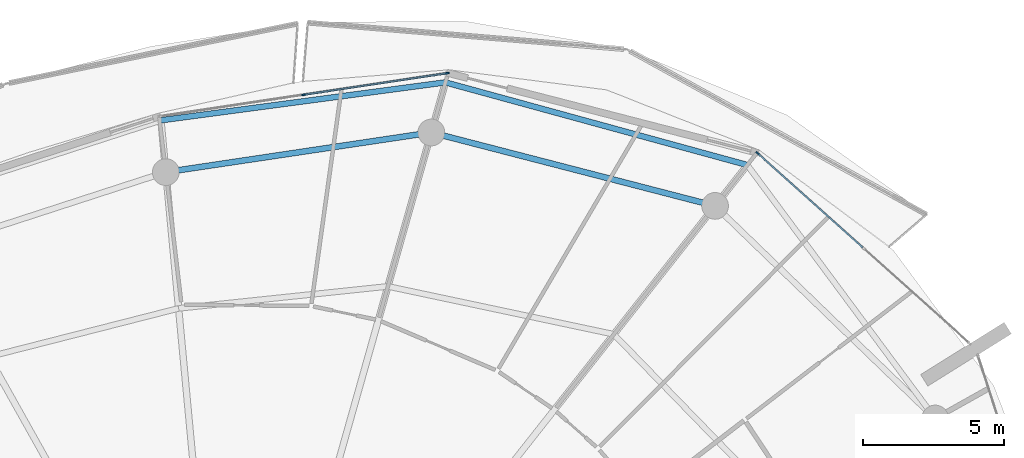
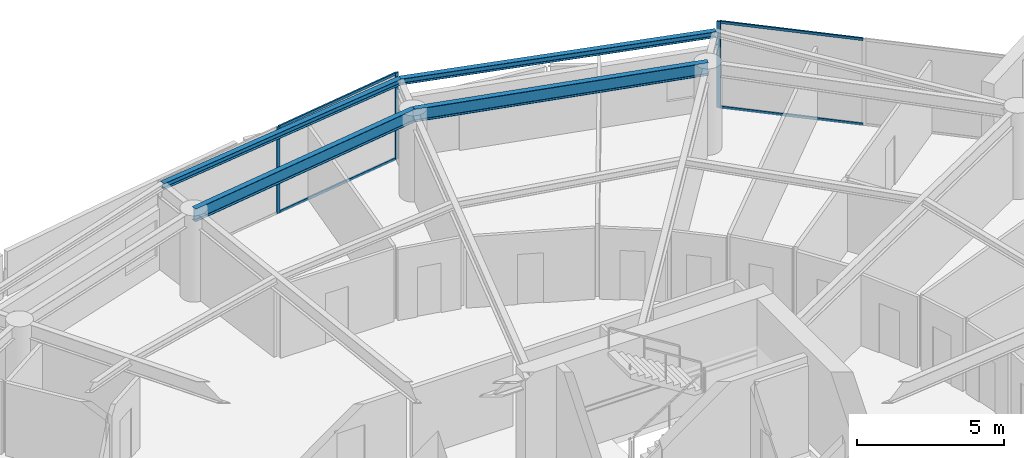
# One storey, part 16 of 30: 7 members, 4 beams, 2 elements without a shape of their own.
"""IFC4 building model written with IfcOpenShell, lengths in metres."""

from ifc_helpers import new_model, si_unit, direction, frame, origin, origin_2d, place, context, subcontext, project, spatial, rectangle, i_section, extrude, material, layer, layer_set, material_profile, profile_set, type_object, element, aggregate, save


model = new_model("IFC4")

# Units and contexts
model_context = context("Model", 3, precision=1e-05, world=origin(), true_north=direction((0.0, 1.0)))
body_context = subcontext(model_context, "Body", "Model", "MODEL_VIEW")
ifc_project = project(units=[si_unit("LENGTHUNIT", "METRE"), si_unit("AREAUNIT", "SQUARE_METRE"), si_unit("VOLUMEUNIT", "CUBIC_METRE"), si_unit("PLANEANGLEUNIT", "RADIAN"), si_unit("MASSUNIT", "GRAM", prefix="KILO")], contexts=[model_context])

# Site, building, storey
site_placement = place(None, origin())
site = spatial("IfcSite", under=ifc_project, at=site_placement, CompositionType="ELEMENT")
building_placement = place(site_placement, origin())
building = spatial("IfcBuilding", under=site, at=building_placement, Name="Kazma Halo Residences", CompositionType="ELEMENT")
storey_placement = place(building_placement, frame((0.0, 0.0, 244.39990234375)))
storey = spatial("IfcBuildingStorey", under=building, at=storey_placement, Name="L61", CompositionType="ELEMENT", Elevation=244.39990234375)

# Beams
ifc_material_1 = material(Name="Steel S355", Category="steel")
ifc_material_profile_1 = material_profile(ifc_material_1, i_section(OverallWidth=0.201904296875, OverallDepth=0.2470703125, WebThickness=0.00732421875, FlangeThickness=0.010986328125, FilletRadius=0.011962890625, at=origin_2d()), Name="W250x49.1")
ifc_profile_set_1 = profile_set([ifc_material_profile_1], Name="Steel S355")
beam_type_1 = type_object("IfcBeamType", Name="BM-BAL-CANT", PredefinedType="BEAM", material=ifc_profile_set_1)
beam_1_placement = place(storey_placement, frame((65.992431640625, 64.823486328125, 3.466552734375), z_axis=(-0.964514665976, 0.264029277006, 0.0), x_axis=(-0.264029277006, -0.964514665976, 0.0)))
element("IfcBeam", 1, at=beam_1_placement, inside=storey, type_object=beam_type_1, Name="L61 wave-balcony tie beam 02", PredefinedType="BEAM", context=body_context, shape_type="SweptSolid", body=[
    extrude(i_section(OverallWidth=0.201904296875, OverallDepth=0.2470703125, WebThickness=0.00732421875, FlangeThickness=0.010986328125, FilletRadius=0.011962890625, at=origin_2d()), origin(), (0.0, 0.0, 1.0), 11.1220703125),
])
beam_2_placement = place(storey_placement, frame((55.26513671875, 67.760009765625, 3.466552734375), z_axis=(-0.991234798397, -0.132111976922, 0.0), x_axis=(0.132111976922, -0.991234798397, 0.0)))
element("IfcBeam", 2, at=beam_2_placement, inside=storey, type_object=beam_type_1, Name="L61 wave-balcony tie beam 03", PredefinedType="BEAM", context=body_context, shape_type="SweptSolid", body=[
    extrude(i_section(OverallWidth=0.201904296875, OverallDepth=0.2470703125, WebThickness=0.00732421875, FlangeThickness=0.010986328125, FilletRadius=0.011962890625, at=origin_2d()), origin(), (0.0, 0.0, 1.0), 10.198974609375),
])
ifc_material_profile_2 = material_profile(ifc_material_1, i_section(OverallWidth=0.208984375, OverallDepth=0.532958984375, WebThickness=0.01025390625, FlangeThickness=0.015625, FilletRadius=0.01611328125, at=origin_2d()), Name="W530x92")
ifc_profile_set_2 = profile_set([ifc_material_profile_2], Name="Steel S355")
beam_type_2 = type_object("IfcBeamType", Name="BM-SPN-W530", PredefinedType="BEAM", material=ifc_profile_set_2)
beam_3_placement = place(storey_placement, frame((64.84716796875, 63.37060546875, 3.323486328125), z_axis=(-0.968126042852, 0.250463500639, 0.0), x_axis=(-0.250463500639, -0.968126042852, 0.0)))
element("IfcBeam", 3, at=beam_3_placement, inside=storey, type_object=beam_type_2, Name="L61 perimeter ring beam 02", PredefinedType="BEAM", context=body_context, shape_type="SweptSolid", body=[
    extrude(i_section(OverallWidth=0.208984375, OverallDepth=0.532958984375, WebThickness=0.01025390625, FlangeThickness=0.015625, FilletRadius=0.01611328125, at=origin_2d()), origin(), (0.0, 0.0, 1.0), 10.416259765625),
])
beam_4_placement = place(storey_placement, frame((54.762939453125, 65.9794921875, 3.323486328125), z_axis=(-0.989035441627, -0.147678350495, 0.0), x_axis=(0.147678350495, -0.989035441627, 0.0)))
element("IfcBeam", 4, at=beam_4_placement, inside=storey, type_object=beam_type_2, Name="L61 perimeter ring beam 03", PredefinedType="BEAM", context=body_context, shape_type="SweptSolid", body=[
    extrude(i_section(OverallWidth=0.208984375, OverallDepth=0.532958984375, WebThickness=0.01025390625, FlangeThickness=0.015625, FilletRadius=0.01611328125, at=origin_2d()), origin(), (0.0, 0.0, 1.0), 9.538818359375),
])

# Curtain wall, member
ifc_material_2 = material(Name="Aluminium AW-6063 T6 and Triple-Silver Low-E Glass", Category="aluminium")
ifc_layer = layer(ifc_material_2, 0.139892578125)
ifc_layer_set = layer_set([ifc_layer], Name="Aluminium AW-6063 T6 and Triple-Silver Low-E Glass")
curtain_wall_type = type_object("IfcCurtainWallType", Name="CW-SYS-5", PredefinedType="NOTDEFINED", material=ifc_layer_set)
curtain_wall_1_placement = place(storey_placement, origin())
curtain_wall_1 = element("IfcCurtainWall", 5, at=curtain_wall_1_placement, inside=storey, type_object=curtain_wall_type, Name="L61 unitised curtain wall B01", PredefinedType="NOTDEFINED")
ifc_material_3 = material(Name="Aluminium AW-6063 T6", Category="aluminium")
ifc_material_profile_3 = material_profile(ifc_material_3, rectangle(XDim=0.06005859375, YDim=0.139892578125, at=origin_2d()), Name="CWM-60x140")
ifc_profile_set_3 = profile_set([ifc_material_profile_3], Name="Aluminium AW-6063 T6")
member_type_1 = type_object("IfcMemberType", Name="CW-SYS-5-MUL", PredefinedType="MULLION", material=ifc_profile_set_3)
member_1_placement = place(storey_placement, frame((66.3603515625, 65.241455078125, 0.0), z_axis=(0.0, 0.0, 1.0), x_axis=(-0.667804826958, -0.744336424671, 0.0)))
member_1 = element("IfcMember", 6, at=member_1_placement, type_object=member_type_1, Name="CWS-5 mullion 3", PredefinedType="MULLION", context=body_context, shape_type="SweptSolid", body=[
    extrude(rectangle(XDim=0.06005859375, YDim=0.139892578125, at=origin_2d()), origin(), (0.0, 0.0, 1.0), 3.590087890625),
])

# Curtain wall, members
curtain_wall_2_placement = place(storey_placement, origin())
curtain_wall_2 = element("IfcCurtainWall", 7, at=curtain_wall_2_placement, inside=storey, type_object=curtain_wall_type, Name="L61 unitised curtain wall B03", PredefinedType="NOTDEFINED")
member_2_placement = place(storey_placement, frame((55.328857421875, 68.087158203125, 0.0), z_axis=(0.0, 0.0, 1.0), x_axis=(0.148697080374, -0.988882792998, 0.0)))
member_2 = element("IfcMember", 8, at=member_2_placement, type_object=member_type_1, Name="CWS-5 mullion 1", PredefinedType="MULLION", context=body_context, shape_type="SweptSolid", body=[
    extrude(rectangle(XDim=0.06005859375, YDim=0.139892578125, at=origin_2d()), origin(), (0.0, 0.0, 1.0), 3.590087890625),
])
member_3_placement = place(storey_placement, frame((50.2265625, 67.320068359375, 0.0), z_axis=(0.0, 0.0, 1.0), x_axis=(0.148697080374, -0.988882792998, 0.0)))
member_3 = element("IfcMember", 9, at=member_3_placement, type_object=member_type_1, Name="CWS-5 mullion 2", PredefinedType="MULLION", context=body_context, shape_type="SweptSolid", body=[
    extrude(rectangle(XDim=0.06005859375, YDim=0.139892578125, at=origin_2d()), origin(), (0.0, 0.0, 1.0), 3.590087890625),
])

# Member
ifc_material_profile_4 = material_profile(ifc_material_3, rectangle(XDim=0.06005859375, YDim=0.10498046875, at=origin_2d()), Name="CWT-60x105")
ifc_profile_set_4 = profile_set([ifc_material_profile_4], Name="Aluminium AW-6063 T6")
member_type_2 = type_object("IfcMemberType", Name="CW-SYS-5-TRN", PredefinedType="USERDEFINED", material=ifc_profile_set_4)
member_4_placement = place(storey_placement, frame((70.099609375, 61.88671875, 0.030029296875), z_axis=(-0.744350700793, 0.667788914425, 0.0), x_axis=(-0.667788914425, -0.744350700793, 0.0)))
member_4 = element("IfcMember", 10, at=member_4_placement, type_object=member_type_2, Name="CWS-5 transom 2.1", ObjectType="TRANSOM", PredefinedType="USERDEFINED", context=body_context, shape_type="SweptSolid", body=[
    extrude(rectangle(XDim=0.06005859375, YDim=0.10498046875, at=origin_2d()), origin(), (0.0, 0.0, 1.0), 4.99365234375),
])

member_5_placement = place(storey_placement, frame((70.099609375, 61.88671875, 3.56005859375), z_axis=(-0.744350700793, 0.667788914425, 0.0), x_axis=(-0.667788914425, -0.744350700793, 0.0)))
member_5 = element("IfcMember", 11, at=member_5_placement, type_object=member_type_2, Name="CWS-5 transom 2.2", ObjectType="TRANSOM", PredefinedType="USERDEFINED", context=body_context, shape_type="SweptSolid", body=[
    extrude(rectangle(XDim=0.06005859375, YDim=0.10498046875, at=origin_2d()), origin(), (0.0, 0.0, 1.0), 4.99365234375),
])

aggregate(curtain_wall_1, [member_1, member_4, member_5])

member_6_placement = place(storey_placement, frame((55.29931640625, 68.082763671875, 0.030029296875), z_axis=(-0.988883972013, -0.148689239341, 0.0), x_axis=(0.148689239341, -0.988883972013, 0.0)))
member_6 = element("IfcMember", 12, at=member_6_placement, type_object=member_type_2, Name="CWS-5 transom 1.1", ObjectType="TRANSOM", PredefinedType="USERDEFINED", context=body_context, shape_type="SweptSolid", body=[
    extrude(rectangle(XDim=0.06005859375, YDim=0.10498046875, at=origin_2d()), origin(), (0.0, 0.0, 1.0), 5.099853515625),
])

member_7_placement = place(storey_placement, frame((55.29931640625, 68.082763671875, 3.56005859375), z_axis=(-0.988883972013, -0.148689239341, 0.0), x_axis=(0.148689239341, -0.988883972013, 0.0)))
member_7 = element("IfcMember", 13, at=member_7_placement, type_object=member_type_2, Name="CWS-5 transom 1.2", ObjectType="TRANSOM", PredefinedType="USERDEFINED", context=body_context, shape_type="SweptSolid", body=[
    extrude(rectangle(XDim=0.06005859375, YDim=0.10498046875, at=origin_2d()), origin(), (0.0, 0.0, 1.0), 5.099853515625),
])

aggregate(curtain_wall_2, [member_2, member_3, member_6, member_7])

save(model, "model.ifc")
